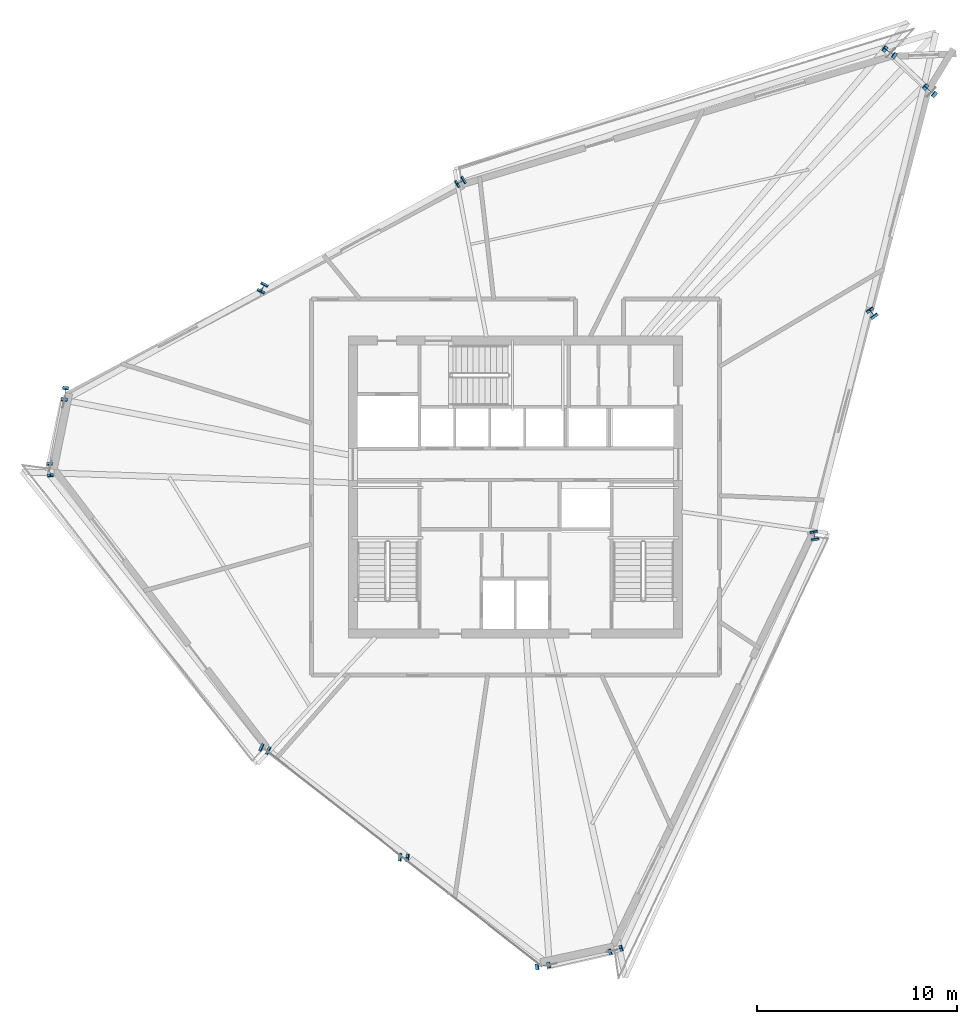
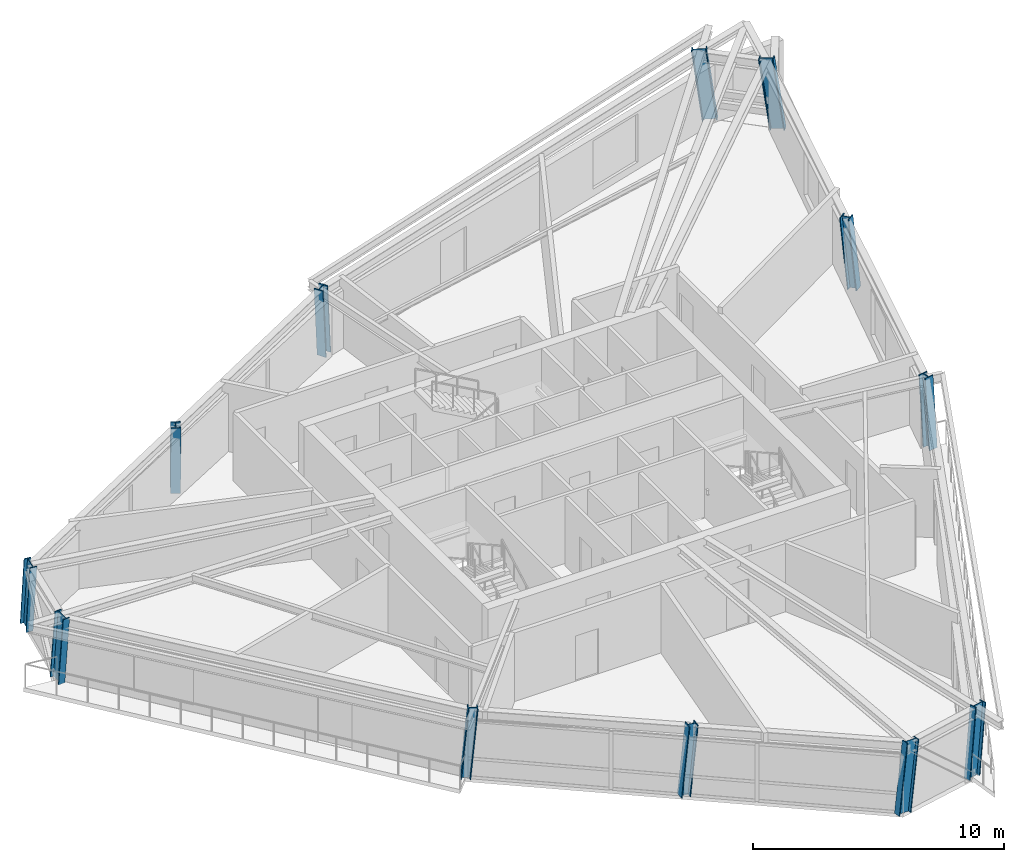
# One storey, part 1 of 14: 12 columns.
"""IFC4 building model written with IfcOpenShell, lengths in metres."""

from ifc_helpers import new_model, si_unit, direction, frame, origin, origin_2d, place, context, subcontext, project, spatial, i_section, extrude, source, transform, mapped, material, material_profile, profile_set, type_object, element, save


model = new_model("IFC4")

# Units and contexts
model_context = context("Model", 3, precision=1e-05, world=origin(), true_north=direction((0.0, 1.0)))
body_context = subcontext(model_context, "Body", "Model", "MODEL_VIEW")
ifc_project = project(units=[si_unit("LENGTHUNIT", "METRE"), si_unit("AREAUNIT", "SQUARE_METRE"), si_unit("VOLUMEUNIT", "CUBIC_METRE"), si_unit("PLANEANGLEUNIT", "RADIAN"), si_unit("MASSUNIT", "GRAM", prefix="KILO")], contexts=[model_context])

# Site, building, storey
site_placement = place(None, origin())
site = spatial("IfcSite", under=ifc_project, at=site_placement, CompositionType="ELEMENT")
building_placement = place(site_placement, origin())
building = spatial("IfcBuilding", under=site, at=building_placement, Name="Olszyna Solenne Hotel", CompositionType="ELEMENT")
storey_placement = place(building_placement, frame((0.0, 0.0, 223.800048828125)))
storey = spatial("IfcBuildingStorey", under=building, at=storey_placement, Name="L59", CompositionType="ELEMENT", Elevation=223.800048828125)

# Columns
ifc_material = material(Name="Steel S460M", Category="steel")
ifc_material_profile_1 = material_profile(ifc_material, i_section(OverallWidth=0.304931640625, OverallDepth=0.6201171875, WebThickness=0.02099609375, FlangeThickness=0.0400390625, at=origin_2d()), Name="HEM 600", Category="load-bearing")
ifc_profile_set_1 = profile_set([ifc_material_profile_1], Name="Steel S460M")
column_type_1 = type_object("IfcColumnType", Name="COL-K3", PredefinedType="COLUMN", material=ifc_profile_set_1)
shared_shape_1 = source(origin(), body_context, "Body", "SweptSolid", [
    extrude(i_section(OverallWidth=0.304931640625, OverallDepth=0.6201171875, WebThickness=0.02099609375, FlangeThickness=0.0400390625, at=origin_2d()), origin(), (0.0, 0.0, 1.0), 3.417236328125),
])
column_1_placement = place(storey_placement, frame((58.778076171875, 46.35888671875, 0.0), z_axis=(-0.104447708162, 0.089016309418, 0.990538627676), x_axis=(-0.648645206746, -0.761090924769, 0.0)))
element("IfcColumn", 1, at=column_1_placement, inside=storey, type_object=column_type_1, Name="Perimeter framed-tube column COL-K3 C-L59-01", PredefinedType="COLUMN", context=body_context, shape_type="MappedRepresentation", body=[
    mapped(shared_shape_1, transform((0.0, 0.0, 0.0), x_axis=(1.0, 0.0, 0.0), y_axis=(0.0, 1.0, 0.0), z_axis=(0.0, 0.0, 1.0), scale=1.0)),
])
shared_shape_2 = source(origin(), body_context, "Body", "SweptSolid", [
    extrude(i_section(OverallWidth=0.304931640625, OverallDepth=0.6201171875, WebThickness=0.02099609375, FlangeThickness=0.0400390625, at=origin_2d()), origin(), (0.0, 0.0, 1.0), 3.412841796875),
])
column_2_placement = place(storey_placement, frame((56.76708984375, 48.297119140625, 0.0), z_axis=(-0.105156454528, 0.072178818108, 0.991832817711), x_axis=(-0.56590978088, -0.824467173333, 0.0)))
element("IfcColumn", 2, at=column_2_placement, inside=storey, type_object=column_type_1, Name="Perimeter framed-tube column COL-K3 C-L59-02", PredefinedType="COLUMN", context=body_context, shape_type="MappedRepresentation", body=[
    mapped(shared_shape_2, transform((0.0, 0.0, 0.0), x_axis=(1.0, 0.0, 0.0), y_axis=(0.0, 1.0, 0.0), z_axis=(0.0, 0.0, 1.0), scale=1.0)),
])
ifc_material_profile_2 = material_profile(ifc_material, i_section(OverallWidth=0.406005859375, OverallDepth=0.416015625, WebThickness=0.026611328125, FlangeThickness=0.04150390625, at=origin_2d()), Name="HD 400x382", Category="load-bearing")
ifc_profile_set_2 = profile_set([ifc_material_profile_2], Name="Steel S460M")
column_type_2 = type_object("IfcColumnType", Name="COL-T4", PredefinedType="COLUMN", material=ifc_profile_set_2)
shared_shape_3 = source(origin(), body_context, "Body", "SweptSolid", [
    extrude(i_section(OverallWidth=0.406005859375, OverallDepth=0.416015625, WebThickness=0.026611328125, FlangeThickness=0.04150390625, at=origin_2d()), origin(), (0.0, 0.0, 1.0), 3.39404296875),
])
column_3_placement = place(storey_placement, frame((35.281982421875, 41.871337890625, 0.0), z_axis=(-0.063010651639, -0.037475513132, 0.99730900111), x_axis=(0.511173344598, -0.859477638902, 0.0)))
element("IfcColumn", 3, at=column_3_placement, inside=storey, type_object=column_type_2, Name="Perimeter framed-tube column COL-T4 C-L59-03", PredefinedType="COLUMN", context=body_context, shape_type="MappedRepresentation", body=[
    mapped(shared_shape_3, transform((0.0, 0.0, 0.0), x_axis=(1.0, 0.0, 0.0), y_axis=(0.0, 1.0, 0.0), z_axis=(0.0, 0.0, 1.0), scale=1.0)),
])
shared_shape_4 = source(origin(), body_context, "Body", "SweptSolid", [
    extrude(i_section(OverallWidth=0.406005859375, OverallDepth=0.416015625, WebThickness=0.026611328125, FlangeThickness=0.04150390625, at=origin_2d()), origin(), (0.0, 0.0, 1.0), 3.39697265625),
])
column_4_placement = place(storey_placement, frame((25.386962890625, 36.597412109375, 0.0), z_axis=(-0.037947264299, -0.074816481317, 0.996475036946), x_axis=(0.891842269509, -0.452346511336, 0.0)))
element("IfcColumn", 4, at=column_4_placement, inside=storey, type_object=column_type_2, Name="Perimeter framed-tube column COL-T4 C-L59-04", PredefinedType="COLUMN", context=body_context, shape_type="MappedRepresentation", body=[
    mapped(shared_shape_4, transform((0.0, 0.0, 0.0), x_axis=(1.0, 0.0, 0.0), y_axis=(0.0, 1.0, 0.0), z_axis=(0.0, 0.0, 1.0), scale=1.0)),
])
shared_shape_5 = source(origin(), body_context, "Body", "SweptSolid", [
    extrude(i_section(OverallWidth=0.304931640625, OverallDepth=0.6201171875, WebThickness=0.02099609375, FlangeThickness=0.0400390625, at=origin_2d()), origin(), (0.0, 0.0, 1.0), 3.40673828125),
])
column_5_placement = place(storey_placement, frame((15.49169921875, 31.32373046875, 0.0), z_axis=(-0.012899647823, -0.111940277222, 0.993631205942), x_axis=(0.993425637614, -0.114479266819, 0.0)))
element("IfcColumn", 5, at=column_5_placement, inside=storey, type_object=column_type_1, Name="Perimeter framed-tube column COL-K3 C-L59-05", PredefinedType="COLUMN", context=body_context, shape_type="MappedRepresentation", body=[
    mapped(shared_shape_5, transform((0.0, 0.0, 0.0), x_axis=(1.0, 0.0, 0.0), y_axis=(0.0, 1.0, 0.0), z_axis=(0.0, 0.0, 1.0), scale=1.0)),
])
shared_shape_6 = source(origin(), body_context, "Body", "SweptSolid", [
    extrude(i_section(OverallWidth=0.304931640625, OverallDepth=0.6201171875, WebThickness=0.02099609375, FlangeThickness=0.0400390625, at=origin_2d()), origin(), (0.0, 0.0, 1.0), 3.402099609375),
])
column_6_placement = place(storey_placement, frame((14.72021484375, 27.53076171875, 0.0), z_axis=(0.007462960152, -0.100175888197, 0.994941754903), x_axis=(0.997236479656, 0.074292689029, 0.0)))
element("IfcColumn", 6, at=column_6_placement, inside=storey, type_object=column_type_1, Name="Perimeter framed-tube column COL-K3 C-L59-06", PredefinedType="COLUMN", context=body_context, shape_type="MappedRepresentation", body=[
    mapped(shared_shape_6, transform((0.0, 0.0, 0.0), x_axis=(1.0, 0.0, 0.0), y_axis=(0.0, 1.0, 0.0), z_axis=(0.0, 0.0, 1.0), scale=1.0)),
])
shared_shape_7 = source(origin(), body_context, "Body", "SweptSolid", [
    extrude(i_section(OverallWidth=0.406005859375, OverallDepth=0.416015625, WebThickness=0.026611328125, FlangeThickness=0.04150390625, at=origin_2d()), origin(), (0.0, 0.0, 1.0), 3.3984375),
])
column_7_placement = place(storey_placement, frame((25.424560546875, 13.524658203125, 0.0), z_axis=(0.080031554619, -0.037573162537, 0.996083936083), x_axis=(0.424975081245, 0.905205048771, 0.0)))
element("IfcColumn", 7, at=column_7_placement, inside=storey, type_object=column_type_2, Name="Perimeter framed-tube column COL-T4 C-L59-07", PredefinedType="COLUMN", context=body_context, shape_type="MappedRepresentation", body=[
    mapped(shared_shape_7, transform((0.0, 0.0, 0.0), x_axis=(1.0, 0.0, 0.0), y_axis=(0.0, 1.0, 0.0), z_axis=(0.0, 0.0, 1.0), scale=1.0)),
])
shared_shape_8 = source(origin(), body_context, "Body", "SweptSolid", [
    extrude(i_section(OverallWidth=0.406005859375, OverallDepth=0.416015625, WebThickness=0.026611328125, FlangeThickness=0.04150390625, at=origin_2d()), origin(), (0.0, 0.0, 1.0), 3.401611328125),
])
column_8_placement = place(storey_placement, frame((32.36181640625, 8.087646484375, 0.0), z_axis=(0.098539908437, -0.009473611008, 0.995088004721), x_axis=(0.095698592254, 0.99541035731, 0.0)))
element("IfcColumn", 8, at=column_8_placement, inside=storey, type_object=column_type_2, Name="Perimeter framed-tube column COL-T4 C-L59-08", PredefinedType="COLUMN", context=body_context, shape_type="MappedRepresentation", body=[
    mapped(shared_shape_8, transform((0.0, 0.0, 0.0), x_axis=(1.0, 0.0, 0.0), y_axis=(0.0, 1.0, 0.0), z_axis=(0.0, 0.0, 1.0), scale=1.0)),
])
shared_shape_9 = source(origin(), body_context, "Body", "SweptSolid", [
    extrude(i_section(OverallWidth=0.304931640625, OverallDepth=0.6201171875, WebThickness=0.02099609375, FlangeThickness=0.0400390625, at=origin_2d()), origin(), (0.0, 0.0, 1.0), 3.408935546875),
])
column_9_placement = place(storey_placement, frame((39.29931640625, 2.65087890625, 0.0), z_axis=(0.116879628474, 0.018405676788, 0.992975520096), x_axis=(-0.155558491149, 0.987826683093, 0.0)))
element("IfcColumn", 9, at=column_9_placement, inside=storey, type_object=column_type_1, Name="Perimeter framed-tube column COL-K3 C-L59-09", PredefinedType="COLUMN", context=body_context, shape_type="MappedRepresentation", body=[
    mapped(shared_shape_9, transform((0.0, 0.0, 0.0), x_axis=(1.0, 0.0, 0.0), y_axis=(0.0, 1.0, 0.0), z_axis=(0.0, 0.0, 1.0), scale=1.0)),
])
shared_shape_10 = source(origin(), body_context, "Body", "SweptSolid", [
    extrude(i_section(OverallWidth=0.304931640625, OverallDepth=0.6201171875, WebThickness=0.02099609375, FlangeThickness=0.0400390625, at=origin_2d()), origin(), (0.0, 0.0, 1.0), 3.4033203125),
])
column_10_placement = place(storey_placement, frame((42.943603515625, 3.438720703125, 0.0), z_axis=(0.098707447122, 0.031850368112, 0.99460665287), x_axis=(-0.307083610191, 0.951682539691, 0.0)))
element("IfcColumn", 10, at=column_10_placement, inside=storey, type_object=column_type_1, Name="Perimeter framed-tube column COL-K3 C-L59-10", PredefinedType="COLUMN", context=body_context, shape_type="MappedRepresentation", body=[
    mapped(shared_shape_10, transform((0.0, 0.0, 0.0), x_axis=(1.0, 0.0, 0.0), y_axis=(0.0, 1.0, 0.0), z_axis=(0.0, 0.0, 1.0), scale=1.0)),
])
shared_shape_11 = source(origin(), body_context, "Body", "SweptSolid", [
    extrude(i_section(OverallWidth=0.406005859375, OverallDepth=0.416015625, WebThickness=0.026611328125, FlangeThickness=0.04150390625, at=origin_2d()), origin(), (0.0, 0.0, 1.0), 3.39501953125),
])
column_11_placement = place(storey_placement, frame((52.951416015625, 24.12744140625, 0.0), z_axis=(-0.013591343042, 0.075435549477, 0.997058049097), x_axis=(-0.984153867213, -0.177316569021, 0.0)))
element("IfcColumn", 11, at=column_11_placement, inside=storey, type_object=column_type_2, Name="Perimeter framed-tube column COL-T4 C-L59-11", PredefinedType="COLUMN", context=body_context, shape_type="MappedRepresentation", body=[
    mapped(shared_shape_11, transform((0.0, 0.0, 0.0), x_axis=(1.0, 0.0, 0.0), y_axis=(0.0, 1.0, 0.0), z_axis=(0.0, 0.0, 1.0), scale=1.0)),
])
shared_shape_12 = source(origin(), body_context, "Body", "SweptSolid", [
    extrude(i_section(OverallWidth=0.406005859375, OverallDepth=0.416015625, WebThickness=0.026611328125, FlangeThickness=0.04150390625, at=origin_2d()), origin(), (0.0, 0.0, 1.0), 3.402587890625),
])
column_12_placement = place(storey_placement, frame((55.86474609375, 35.2431640625, 0.0), z_axis=(-0.059266938757, 0.082370999628, 0.99483790056), x_axis=(-0.811722058131, -0.584043919875, 0.0)))
element("IfcColumn", 12, at=column_12_placement, inside=storey, type_object=column_type_2, Name="Perimeter framed-tube column COL-T4 C-L59-12", PredefinedType="COLUMN", context=body_context, shape_type="MappedRepresentation", body=[
    mapped(shared_shape_12, transform((0.0, 0.0, 0.0), x_axis=(1.0, 0.0, 0.0), y_axis=(0.0, 1.0, 0.0), z_axis=(0.0, 0.0, 1.0), scale=1.0)),
])

save(model, "model.ifc")
